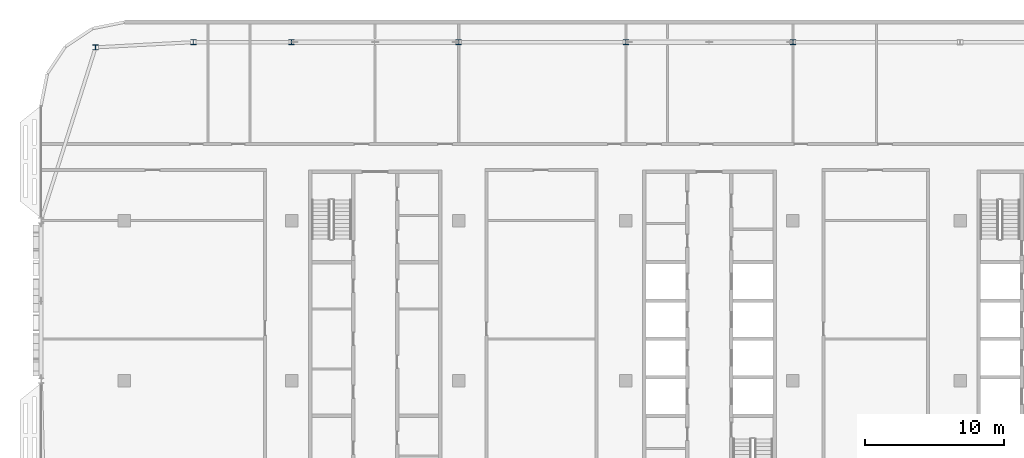
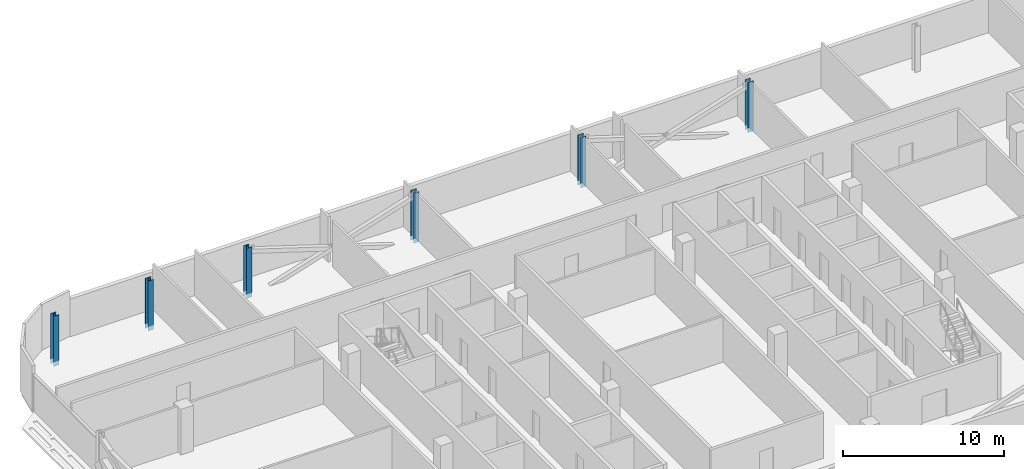
# One storey, part 3 of 28: 6 columns.
"""IFC4 building model written with IfcOpenShell, lengths in metres."""

from ifc_helpers import new_model, si_unit, direction, frame, origin, origin_2d, place, context, subcontext, project, spatial, i_section, extrude, material, material_profile, profile_set, type_object, element, save


model = new_model("IFC4")

# Units and contexts
model_context = context("Model", 3, precision=1e-05, world=origin(), true_north=direction((0.0, 1.0)))
body_context = subcontext(model_context, "Body", "Model", "MODEL_VIEW")
ifc_project = project(units=[si_unit("LENGTHUNIT", "METRE"), si_unit("AREAUNIT", "SQUARE_METRE"), si_unit("VOLUMEUNIT", "CUBIC_METRE"), si_unit("PLANEANGLEUNIT", "RADIAN"), si_unit("MASSUNIT", "GRAM", prefix="KILO")], contexts=[model_context])

# Site, building, storey
site_placement = place(None, origin())
site = spatial("IfcSite", under=ifc_project, at=site_placement, CompositionType="ELEMENT")
building_placement = place(site_placement, origin())
building = spatial("IfcBuilding", under=site, at=building_placement, Name="Mahtab Terrace Research Tower", CompositionType="ELEMENT")
storey_placement = place(building_placement, frame((0.0, 0.0, 267.10009765625)))
storey = spatial("IfcBuildingStorey", under=building, at=storey_placement, Name="L65", CompositionType="ELEMENT", Elevation=267.10009765625)

# Columns
ifc_material = material(Name="Steel ASTM A992 Gr 50", Category="steel")
ifc_material_profile = material_profile(ifc_material, i_section(OverallWidth=0.393798828125, OverallDepth=0.3759765625, WebThickness=0.017333984375, FlangeThickness=0.027587890625, at=origin_2d()), Name="W14X145")
ifc_profile_set = profile_set([ifc_material_profile], Name="Steel ASTM A992 Gr 50")
column_type = type_object("IfcColumnType", Name="W14x145 column CS14145", PredefinedType="COLUMN", material=ifc_profile_set)
for number, where, z_axis, x_axis, name in (
    (1, (6.0, 24.306884765625, -0.340087890625), (0.0, 0.0, 1.0), (1.0, 0.0, 0.0), "Column SC-074 L65"),
    (2, (-6.0, 24.306884765625, -0.340087890625), (0.0, 0.0, 1.0), (1.0, 0.0, 0.0), "Column SC-075 L65"),
    (3, (-18.0, 24.306884765625, -0.340087890625), (0.0, 0.0, 1.0), (1.0, 0.0, 0.0), "Column SC-076 L65"),
    (4, (-30.0, 24.306884765625, -0.340087890625), (0.0, 0.0, 1.0), (1.0, 0.0, 0.0), "Column SC-077 L65"),
    (5, (-37.05810546875, 24.306884765625, -0.340087890625), (0.0, 0.0, 1.0), (1.0, 0.0, 0.0), "Column SC-078 L65"),
    (6, (-44.072021484375, 23.93701171875, -0.340087890625), (0.0, 0.0, 1.0), (1.0, 0.0, 0.0), "Column SC-079 L65"),
):
    element("IfcColumn", number, at=place(storey_placement, frame(where, z_axis=z_axis, x_axis=x_axis)), inside=storey, type_object=column_type, Name=name, PredefinedType="COLUMN", context=body_context, shape_type="SweptSolid", body=[
        extrude(i_section(OverallWidth=0.393798828125, OverallDepth=0.3759765625, WebThickness=0.017333984375, FlangeThickness=0.027587890625, at=origin_2d()), origin(), (0.0, 0.0, 1.0), 3.800048828125),
    ])

save(model, "model.ifc")
